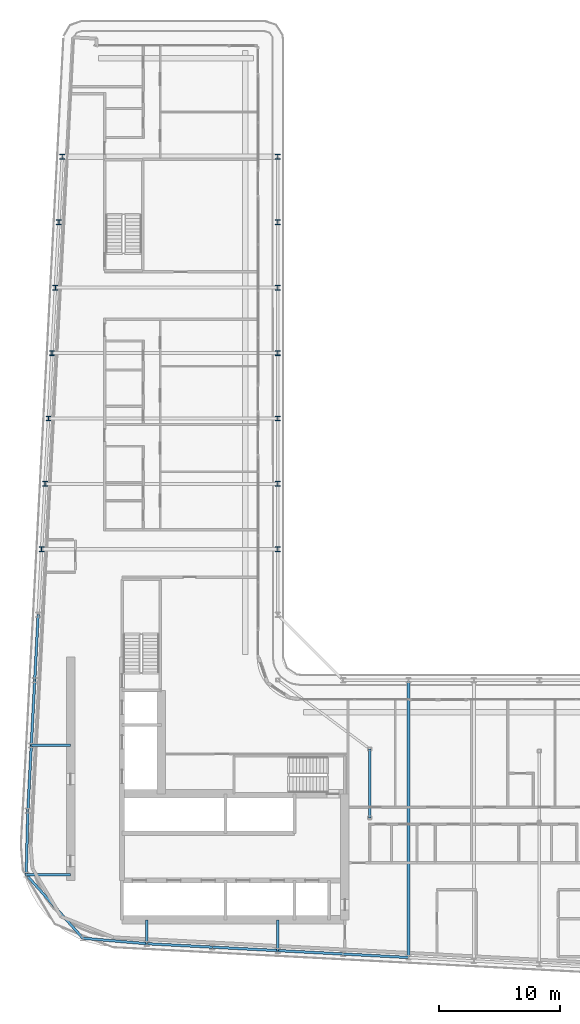
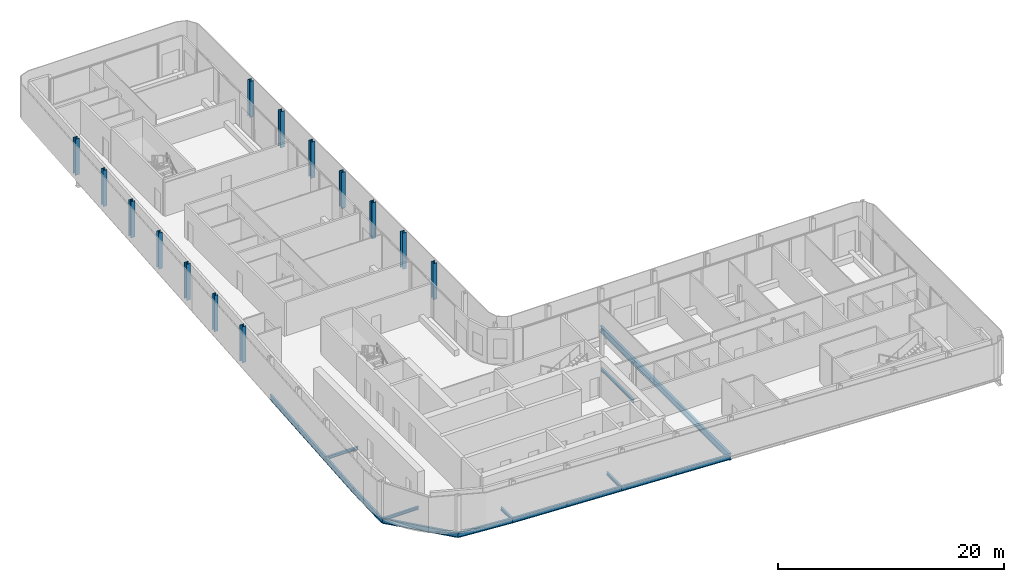
# One storey, part 3 of 22: 16 beams, 14 columns.
"""IFC4 building model written with IfcOpenShell, lengths in metres."""

import ifcopenshell
import ifcopenshell.guid

model = None  # the IFC model being written
_history = None  # IfcOwnerHistory: only IFC2X3 demands one
_inside = {}  # id of a spatial element -> (the spatial element, [elements in it])
_under = {}  # id of a project, library or spatial element -> (it, [spatial elements below it])
_declared = {}  # id of a project -> (the project, [libraries it declares])
_typed = {}  # id of a type object -> (the type object, [elements of that type])
_made_of = {}  # id of a material, layer set ... -> (it, [elements and type objects made of it])


def new_model(schema):
    """Start an empty IFC model of exactly this schema.

    Asked for "IFC4X3", IfcOpenShell would pick the latest addendum, in which some entities
    have other attributes; the version numbers below select the first issue.
    IFC2X3 requires an IfcOwnerHistory on every rooted entity: one is made here for all.
    """
    global model, _history
    if schema == "IFC4X3":
        model = ifcopenshell.file(schema_version=(4, 3, 0, 0))
    else:
        model = ifcopenshell.file(schema=schema)
    _inside.clear()
    _under.clear()
    _declared.clear()
    _typed.clear()
    _made_of.clear()
    _history = None
    if model.schema == "IFC2X3":
        org = make("IfcOrganization", Name="unknown")
        user = make(
            "IfcPersonAndOrganization",
            ThePerson=make("IfcPerson", FamilyName="unknown"),
            TheOrganization=org,
        )
        app = make(
            "IfcApplication",
            ApplicationDeveloper=org,
            Version="unknown",
            ApplicationFullName="unknown",
            ApplicationIdentifier="unknown",
        )
        _history = make(
            "IfcOwnerHistory",
            OwningUser=user,
            OwningApplication=app,
            ChangeAction="ADDED",
            CreationDate=0,
        )
    return model


def make(cls, **values):
    """One entity of the class cls with the attributes given. An attribute that is None is left unset."""
    return model.create_entity(
        cls, **{name: value for name, value in values.items() if value is not None}
    )


def rooted(cls, **values):
    """An entity with a GlobalId (a new one), such as an element, a storey or a relation."""
    return make(cls, GlobalId=ifcopenshell.guid.new(), OwnerHistory=_history, **values)


def si_unit(unit_type, name, prefix=None):
    """IfcSIUnit, for example si_unit("LENGTHUNIT", "METRE", prefix="MILLI")."""
    return make("IfcSIUnit", UnitType=unit_type, Prefix=prefix, Name=name)


def assignment(units):
    """IfcUnitAssignment: the units of a project."""
    return None if units is None else make("IfcUnitAssignment", Units=units)


def point(xyz):
    """IfcCartesianPoint."""
    return None if xyz is None else make("IfcCartesianPoint", Coordinates=xyz)


def direction(xyz):
    """IfcDirection."""
    return None if xyz is None else make("IfcDirection", DirectionRatios=xyz)


def frame(location, z_axis=None, x_axis=None):
    """IfcAxis2Placement3D, a coordinate frame: its origin and axes. An axis left out is left unset."""
    return make(
        "IfcAxis2Placement3D",
        Location=point(location),
        Axis=direction(z_axis),
        RefDirection=direction(x_axis),
    )


def frame_2d(location, x_axis=None):
    """IfcAxis2Placement2D, a coordinate frame in the plane: its origin and x axis."""
    return make(
        "IfcAxis2Placement2D", Location=point(location), RefDirection=direction(x_axis)
    )


def origin():
    """The frame at (0, 0, 0) with its axes left unset."""
    return frame((0.0, 0.0, 0.0))


def origin_2d():
    """The frame at (0, 0) in the plane with its x axis left unset."""
    return frame_2d((0.0, 0.0))


def place(relative_to, where):
    """IfcLocalPlacement: puts the frame where relative to a parent placement (None: the world)."""
    return make(
        "IfcLocalPlacement", PlacementRelTo=relative_to, RelativePlacement=where
    )


def context(
    kind, dimensions, precision=None, world=None, true_north=None, identifier=None
):
    """IfcGeometricRepresentationContext, for example the 3D "Model" context."""
    return make(
        "IfcGeometricRepresentationContext",
        ContextIdentifier=identifier,
        ContextType=kind,
        CoordinateSpaceDimension=dimensions,
        Precision=precision,
        WorldCoordinateSystem=world,
        TrueNorth=true_north,
    )


def subcontext(parent, identifier, kind, view, scale=None):
    """IfcGeometricRepresentationSubContext, for example "Body" below "Model"."""
    return make(
        "IfcGeometricRepresentationSubContext",
        ContextIdentifier=identifier,
        ContextType=kind,
        ParentContext=parent,
        TargetScale=scale,
        TargetView=view,
    )


def project(units=None, contexts=None):
    """IfcProject with its units and contexts."""
    return rooted(
        "IfcProject",
        Name="project",
        RepresentationContexts=contexts,
        UnitsInContext=assignment(units),
    )


def spatial(cls, under=None, at=None, **own):
    """A site, building, storey or space (cls), placed at a placement, below another one or the project."""
    s = rooted(cls, ObjectPlacement=at, **own)
    if under is not None:
        _under.setdefault(under.id(), (under, []))[1].append(s)
    return s


def profile(cls, at=None, kind="AREA", **sizes):
    """A parametric profile (cls). Its sizes go by their IFC names, for example OverallWidth=200.0."""
    return make(cls, ProfileType=kind, Position=at, **sizes)


def i_section(**sizes):
    """IfcIShapeProfileDef."""
    return profile("IfcIShapeProfileDef", **sizes)


def extrude(swept, where, along, depth):
    """IfcExtrudedAreaSolid: the profile swept, set in the frame where, extruded along a direction by depth."""
    return make(
        "IfcExtrudedAreaSolid",
        SweptArea=swept,
        Position=where,
        ExtrudedDirection=direction(along),
        Depth=depth,
    )


def shape(context_of_items, identifier, shape_type, items):
    """IfcShapeRepresentation: the items that make up one representation, for example the "Body"."""
    return make(
        "IfcShapeRepresentation",
        ContextOfItems=context_of_items,
        RepresentationIdentifier=identifier,
        RepresentationType=shape_type,
        Items=items,
    )


def material(Name=None, Category=None):
    """IfcMaterial."""
    return make("IfcMaterial", Name=Name, Category=Category)


def material_profile(
    of_material, cross_section, Name=None, Category=None, Priority=None
):
    """IfcMaterialProfile: a cross section and its material."""
    return make(
        "IfcMaterialProfile",
        Name=Name,
        Material=of_material,
        Profile=cross_section,
        Priority=Priority,
        Category=Category,
    )


def profile_set(profiles, Name=None, composite=None):
    """IfcMaterialProfileSet."""
    return make(
        "IfcMaterialProfileSet",
        Name=Name,
        MaterialProfiles=profiles,
        CompositeProfile=composite,
    )


def made_of(thing, what):
    """Note that an element or type object is made of a material, layer set ...; save() writes the relation."""
    if what is not None:
        _made_of.setdefault(what.id(), (what, []))[1].append(thing)
    return thing


def type_object(cls, material=None, **own):
    """A type object (cls), such as IfcWallType, which elements share."""
    return made_of(rooted(cls, **own), material)


def element(
    cls,
    number,
    at=None,
    inside=None,
    cuts=None,
    type_object=None,
    material=None,
    context=None,
    identifier="Body",
    shape_type=None,
    held_by="IfcProductDefinitionShape",
    body=None,
    shapes=None,
    **own,
):
    """One element of the class cls, such as IfcWall. Its Tag is "e" and its number.

    at: its placement. inside: the storey or other place that contains it. cuts: it is an
    opening in that element (IfcRelVoidsElement). A single representation is given by context,
    identifier, shape_type and body (its items); several are given by shapes. held_by: the class
    of the entity that holds the representations. save() writes the other relations.
    """
    e = rooted(cls, Tag="e%d" % number, ObjectPlacement=at, **own)
    if body is not None:
        shapes = [shape(context, identifier, shape_type, body)]
    if shapes is not None:
        e.Representation = make(held_by, Representations=shapes)
    if inside is not None:
        _inside.setdefault(inside.id(), (inside, []))[1].append(e)
    if cuts is not None:
        rooted(
            "IfcRelVoidsElement", RelatingBuildingElement=cuts, RelatedOpeningElement=e
        )
    if type_object is not None:
        _typed.setdefault(type_object.id(), (type_object, []))[1].append(e)
    return made_of(e, material)


def aggregate(whole, parts):
    """IfcRelAggregates: a whole, such as a stair, and the parts it consists of."""
    return rooted("IfcRelAggregates", RelatingObject=whole, RelatedObjects=parts)


def save(model, path):
    """Write the relations noted so far, then the file.

    IfcRelAggregates (storeys below a building ...), IfcRelContainedInSpatialStructure (elements
    in a storey), IfcRelDefinesByType, IfcRelAssociatesMaterial and IfcRelDeclares: one each for
    every whole, place, type object, material and project.
    """
    for whole, parts in _under.values():
        aggregate(whole, parts)
    for where, things in _inside.values():
        rooted(
            "IfcRelContainedInSpatialStructure",
            RelatedElements=things,
            RelatingStructure=where,
        )
    for kind, things in _typed.values():
        rooted("IfcRelDefinesByType", RelatedObjects=things, RelatingType=kind)
    for what, things in _made_of.values():
        rooted("IfcRelAssociatesMaterial", RelatedObjects=things, RelatingMaterial=what)
    for by, libraries in _declared.values():
        rooted("IfcRelDeclares", RelatingContext=by, RelatedDefinitions=libraries)
    model.write(path)


model = new_model("IFC4")

# Units and contexts
model_context = context("Model", 3, precision=1e-05, world=origin(), true_north=direction((0.0, 1.0)))
body_context = subcontext(model_context, "Body", "Model", "MODEL_VIEW")
ifc_project = project(units=[si_unit("LENGTHUNIT", "METRE"), si_unit("AREAUNIT", "SQUARE_METRE"), si_unit("VOLUMEUNIT", "CUBIC_METRE"), si_unit("PLANEANGLEUNIT", "RADIAN"), si_unit("MASSUNIT", "GRAM", prefix="KILO")], contexts=[model_context])

# Site, building, storey
site_placement = place(None, origin())
site = spatial("IfcSite", under=ifc_project, at=site_placement, CompositionType="ELEMENT")
building_placement = place(site_placement, origin())
building = spatial("IfcBuilding", under=site, at=building_placement, Name="Kheshtan School and Residences Tower", CompositionType="ELEMENT")
storey_placement = place(building_placement, frame((0.0, 0.0, 255.199951171875)))
storey = spatial("IfcBuildingStorey", under=building, at=storey_placement, Name="L60", CompositionType="ELEMENT", Elevation=255.199951171875)

# Columns
ifc_material = material(Name="Steel ASTM A992 Grade 50", Category="steel")
ifc_material_profile_1 = material_profile(ifc_material, i_section(OverallWidth=0.404052734375, OverallDepth=0.406982421875, WebThickness=0.027099609375, FlangeThickness=0.043701171875, FilletRadius=0.01220703125, at=origin_2d()), Name="W360x347")
ifc_profile_set_1 = profile_set([ifc_material_profile_1], Name="Steel ASTM A992 Grade 50")
column_type = type_object("IfcColumnType", Name="Column C4 W360x347 ASTM A992 Grade 50", PredefinedType="COLUMN", material=ifc_profile_set_1)
for number, where, z_axis, x_axis, name in (
    (1, (28.10595703125, 56.39990234375, 0.0), (0.0, 0.0, 1.0), (1.0, 0.0, 0.0), "Column C080"),
    (2, (47.60009765625, 56.39990234375, 0.0), (0.0, 0.0, 1.0), (1.0, 0.0, 0.0), "Column C081"),
    (3, (28.389892578125, 61.800048828125, 0.0), (0.0, 0.0, 1.0), (1.0, 0.0, 0.0), "Column C082"),
    (4, (47.60009765625, 61.800048828125, 0.0), (0.0, 0.0, 1.0), (1.0, 0.0, 0.0), "Column C083"),
    (5, (28.674072265625, 67.199951171875, 0.0), (0.0, 0.0, 1.0), (1.0, 0.0, 0.0), "Column C084"),
    (6, (47.60009765625, 67.199951171875, 0.0), (0.0, 0.0, 1.0), (1.0, 0.0, 0.0), "Column C085"),
    (7, (28.9580078125, 72.60009765625, 0.0), (0.0, 0.0, 1.0), (1.0, 0.0, 0.0), "Column C086"),
    (8, (47.60009765625, 72.60009765625, 0.0), (0.0, 0.0, 1.0), (1.0, 0.0, 0.0), "Column C087"),
    (9, (29.242919921875, 78.0, 0.0), (0.0, 0.0, 1.0), (1.0, 0.0, 0.0), "Column C088"),
    (10, (47.60009765625, 78.0, 0.0), (0.0, 0.0, 1.0), (1.0, 0.0, 0.0), "Column C089"),
    (11, (29.527099609375, 83.39990234375, 0.0), (0.0, 0.0, 1.0), (1.0, 0.0, 0.0), "Column C090"),
    (12, (47.60009765625, 83.39990234375, 0.0), (0.0, 0.0, 1.0), (1.0, 0.0, 0.0), "Column C091"),
    (13, (29.81103515625, 88.800048828125, 0.0), (0.0, 0.0, 1.0), (1.0, 0.0, 0.0), "Column C098"),
    (14, (47.60009765625, 88.800048828125, 0.0), (0.0, 0.0, 1.0), (1.0, 0.0, 0.0), "Column C099"),
):
    element("IfcColumn", number, at=place(storey_placement, frame(where, z_axis=z_axis, x_axis=x_axis)), inside=storey, type_object=column_type, Name=name, PredefinedType="COLUMN", context=body_context, shape_type="SweptSolid", body=[
        extrude(i_section(OverallWidth=0.404052734375, OverallDepth=0.406982421875, WebThickness=0.027099609375, FlangeThickness=0.043701171875, FilletRadius=0.01220703125, at=origin_2d()), origin(), (0.0, 0.0, 1.0), 3.900146484375),
    ])

# Beams
ifc_material_profile_2 = material_profile(ifc_material, i_section(OverallWidth=0.202880859375, OverallDepth=0.302978515625, WebThickness=0.007568359375, FlangeThickness=0.01318359375, FilletRadius=0.009033203125, at=origin_2d()), Name="W310x60")
ifc_profile_set_2 = profile_set([ifc_material_profile_2], Name="Steel ASTM A992 Grade 50")
beam_type_1 = type_object("IfcBeamType", Name="Beam FB1 W310x60 ASTM A992 Grade 50", PredefinedType="BEAM", material=ifc_profile_set_2)
beam_1_placement = place(storey_placement, frame((47.60009765625, 23.263916015625, -0.301513671875), z_axis=(0.0, 1.0, 0.0), x_axis=(-1.0, 0.0, 0.0)))
element("IfcBeam", 15, at=beam_1_placement, inside=storey, type_object=beam_type_1, Name="Floor beam C020", PredefinedType="BEAM", context=body_context, shape_type="SweptSolid", body=[
    extrude(i_section(OverallWidth=0.202880859375, OverallDepth=0.302978515625, WebThickness=0.007568359375, FlangeThickness=0.01318359375, FilletRadius=0.009033203125, at=origin_2d()), origin(), (0.0, 0.0, 1.0), 2.5361328125),
])
beam_2_placement = place(storey_placement, frame((36.800048828125, 23.83203125, -0.301513671875), z_axis=(0.0, 1.0, 0.0), x_axis=(-1.0, 0.0, 0.0)))
element("IfcBeam", 16, at=beam_2_placement, inside=storey, type_object=beam_type_1, Name="Floor beam C022", PredefinedType="BEAM", context=body_context, shape_type="SweptSolid", body=[
    extrude(i_section(OverallWidth=0.202880859375, OverallDepth=0.302978515625, WebThickness=0.007568359375, FlangeThickness=0.01318359375, FilletRadius=0.009033203125, at=origin_2d()), origin(), (0.0, 0.0, 1.0), 1.968017578125),
])
beam_3_placement = place(storey_placement, frame((26.830078125, 29.5380859375, -0.301513671875), z_axis=(1.0, 0.0, 0.0), x_axis=(0.0, 1.0, 0.0)))
element("IfcBeam", 17, at=beam_3_placement, inside=storey, type_object=beam_type_1, Name="Floor beam C043", PredefinedType="BEAM", context=body_context, shape_type="SweptSolid", body=[
    extrude(i_section(OverallWidth=0.202880859375, OverallDepth=0.302978515625, WebThickness=0.007568359375, FlangeThickness=0.01318359375, FilletRadius=0.009033203125, at=origin_2d()), origin(), (0.0, 0.0, 1.0), 3.669921875),
])
beam_4_placement = place(storey_placement, frame((27.2529296875, 40.199951171875, -0.301513671875), z_axis=(1.0, 0.0, 0.0), x_axis=(0.0, 1.0, 0.0)))
element("IfcBeam", 18, at=beam_4_placement, inside=storey, type_object=beam_type_1, Name="Floor beam C056", PredefinedType="BEAM", context=body_context, shape_type="SweptSolid", body=[
    extrude(i_section(OverallWidth=0.202880859375, OverallDepth=0.302978515625, WebThickness=0.007568359375, FlangeThickness=0.01318359375, FilletRadius=0.009033203125, at=origin_2d()), origin(), (0.0, 0.0, 1.0), 3.2470703125),
])
beam_5_placement = place(storey_placement, frame((55.199951171875, 34.23193359375, -0.301513671875), z_axis=(0.0, 1.0, 0.0), x_axis=(-1.0, 0.0, 0.0)))
element("IfcBeam", 19, at=beam_5_placement, inside=storey, type_object=beam_type_1, Name="Floor beam IC", PredefinedType="BEAM", context=body_context, shape_type="SweptSolid", body=[
    extrude(i_section(OverallWidth=0.202880859375, OverallDepth=0.302978515625, WebThickness=0.007568359375, FlangeThickness=0.01318359375, FilletRadius=0.009033203125, at=origin_2d()), origin(), (0.0, 0.0, 1.0), 5.68408203125),
])
ifc_material_profile_3 = material_profile(ifc_material, i_section(OverallWidth=0.2529296875, OverallDepth=0.677978515625, WebThickness=0.01171875, FlangeThickness=0.016357421875, FilletRadius=0.0146484375, at=origin_2d()), Name="W690x125")
ifc_profile_set_3 = profile_set([ifc_material_profile_3], Name="Steel ASTM A992 Grade 50")
beam_type_2 = type_object("IfcBeamType", Name="Beam FB6 W690x125 ASTM A992 Grade 50", PredefinedType="BEAM", material=ifc_profile_set_3)
beam_6_placement = place(storey_placement, frame((58.39990234375, 22.695068359375, -0.489013671875), z_axis=(0.0, 1.0, 0.0), x_axis=(-1.0, 0.0, 0.0)))
element("IfcBeam", 20, at=beam_6_placement, inside=storey, type_object=beam_type_2, Name="Floor beam C018", PredefinedType="BEAM", context=body_context, shape_type="SweptSolid", body=[
    extrude(i_section(OverallWidth=0.2529296875, OverallDepth=0.677978515625, WebThickness=0.01171875, FlangeThickness=0.016357421875, FilletRadius=0.0146484375, at=origin_2d()), origin(), (0.0, 0.0, 1.0), 22.905029296875),
])
ifc_material_profile_4 = material_profile(ifc_material, i_section(OverallWidth=0.208984375, OverallDepth=0.532958984375, WebThickness=0.01025390625, FlangeThickness=0.015625, FilletRadius=0.013916015625, at=origin_2d()), Name="W530x92")
ifc_profile_set_4 = profile_set([ifc_material_profile_4], Name="Steel ASTM A992 Grade 50")
beam_type_3 = type_object("IfcBeamType", Name="Beam SP3 W530x92 ASTM A992 Grade 50", PredefinedType="BEAM", material=ifc_profile_set_4)
for number, where, z_axis, x_axis, name in (
    (21, (58.39990234375, 22.695068359375, -0.41650390625), (-0.998610961136, 0.052689166816, 0.0), (-0.052689166816, -0.998610961136, 0.0), "Spandrel beam C018-C019"),
    (22, (53.0, 22.97998046875, -0.41650390625), (-0.998620447272, 0.05250906864, 0.0), (-0.05250906864, -0.998620447272, 0.0), "Spandrel beam C019-C020"),
):
    element("IfcBeam", number, at=place(storey_placement, frame(where, z_axis=z_axis, x_axis=x_axis)), inside=storey, type_object=beam_type_3, Name=name, PredefinedType="BEAM", context=body_context, shape_type="SweptSolid", body=[
        extrude(i_section(OverallWidth=0.208984375, OverallDepth=0.532958984375, WebThickness=0.01025390625, FlangeThickness=0.015625, FilletRadius=0.013916015625, at=origin_2d()), origin(), (0.0, 0.0, 1.0), 5.407470703125),
    ])
beam_7_placement = place(storey_placement, frame((47.60009765625, 23.263916015625, -0.41650390625), z_axis=(-0.998618203458, 0.052551724256, 0.0), x_axis=(-0.052551724256, -0.998618203458, 0.0)))
element("IfcBeam", 23, at=beam_7_placement, inside=storey, type_object=beam_type_3, Name="Spandrel beam C020-C021", PredefinedType="BEAM", context=body_context, shape_type="SweptSolid", body=[
    extrude(i_section(OverallWidth=0.208984375, OverallDepth=0.532958984375, WebThickness=0.01025390625, FlangeThickness=0.015625, FilletRadius=0.013916015625, at=origin_2d()), origin(), (0.0, 0.0, 1.0), 5.40771484375),
])
beam_8_placement = place(storey_placement, frame((42.199951171875, 23.548095703125, -0.41650390625), z_axis=(-0.998620447272, 0.05250906864, 0.0), x_axis=(-0.05250906864, -0.998620447272, 0.0)))
element("IfcBeam", 24, at=beam_8_placement, inside=storey, type_object=beam_type_3, Name="Spandrel beam C021-C022", PredefinedType="BEAM", context=body_context, shape_type="SweptSolid", body=[
    extrude(i_section(OverallWidth=0.208984375, OverallDepth=0.532958984375, WebThickness=0.01025390625, FlangeThickness=0.015625, FilletRadius=0.013916015625, at=origin_2d()), origin(), (0.0, 0.0, 1.0), 5.407470703125),
])
beam_9_placement = place(storey_placement, frame((36.800048828125, 23.83203125, -0.41650390625), z_axis=(-0.996386672761, 0.084932904956, 0.0), x_axis=(-0.084932904956, -0.996386672761, 0.0)))
element("IfcBeam", 25, at=beam_9_placement, inside=storey, type_object=beam_type_3, Name="Spandrel beam C022-C030", PredefinedType="BEAM", context=body_context, shape_type="SweptSolid", body=[
    extrude(i_section(OverallWidth=0.208984375, OverallDepth=0.532958984375, WebThickness=0.01025390625, FlangeThickness=0.015625, FilletRadius=0.013916015625, at=origin_2d()), origin(), (0.0, 0.0, 1.0), 5.309326171875),
])
beam_10_placement = place(storey_placement, frame((31.510009765625, 24.282958984375, -0.41650390625), z_axis=(-0.66505480847, 0.746794551219, 0.0), x_axis=(-0.746794551219, -0.66505480847, 0.0)))
element("IfcBeam", 26, at=beam_10_placement, inside=storey, type_object=beam_type_3, Name="Spandrel beam C030-C043", PredefinedType="BEAM", context=body_context, shape_type="SweptSolid", body=[
    extrude(i_section(OverallWidth=0.208984375, OverallDepth=0.532958984375, WebThickness=0.01025390625, FlangeThickness=0.015625, FilletRadius=0.013916015625, at=origin_2d()), origin(), (0.0, 0.0, 1.0), 7.036865234375),
])
beam_11_placement = place(storey_placement, frame((26.830078125, 29.5380859375, -0.41650390625), z_axis=(0.026390842013, 0.999651701073, 0.0), x_axis=(-0.999651701073, 0.026390842013, 0.0)))
element("IfcBeam", 27, at=beam_11_placement, inside=storey, type_object=beam_type_3, Name="Spandrel beam C043-C052", PredefinedType="BEAM", context=body_context, shape_type="SweptSolid", body=[
    extrude(i_section(OverallWidth=0.208984375, OverallDepth=0.532958984375, WebThickness=0.01025390625, FlangeThickness=0.015625, FilletRadius=0.013916015625, at=origin_2d()), origin(), (0.0, 0.0, 1.0), 5.263916015625),
])
beam_12_placement = place(storey_placement, frame((26.968994140625, 34.800048828125, -0.41650390625), z_axis=(0.05250906864, 0.998620447272, 0.0), x_axis=(-0.998620447272, 0.05250906864, 0.0)))
element("IfcBeam", 28, at=beam_12_placement, inside=storey, type_object=beam_type_3, Name="Spandrel beam C052-C056", PredefinedType="BEAM", context=body_context, shape_type="SweptSolid", body=[
    extrude(i_section(OverallWidth=0.208984375, OverallDepth=0.532958984375, WebThickness=0.01025390625, FlangeThickness=0.015625, FilletRadius=0.013916015625, at=origin_2d()), origin(), (0.0, 0.0, 1.0), 5.407470703125),
])
beam_13_placement = place(storey_placement, frame((27.2529296875, 40.199951171875, -0.41650390625), z_axis=(0.052551724256, 0.998618203458, 0.0), x_axis=(-0.998618203458, 0.052551724256, 0.0)))
element("IfcBeam", 29, at=beam_13_placement, inside=storey, type_object=beam_type_3, Name="Spandrel beam C056-C059", PredefinedType="BEAM", context=body_context, shape_type="SweptSolid", body=[
    extrude(i_section(OverallWidth=0.208984375, OverallDepth=0.532958984375, WebThickness=0.01025390625, FlangeThickness=0.015625, FilletRadius=0.013916015625, at=origin_2d()), origin(), (0.0, 0.0, 1.0), 5.40771484375),
])
beam_14_placement = place(storey_placement, frame((27.537109375, 45.60009765625, -0.41650390625), z_axis=(0.052689166816, 0.998610961136, 0.0), x_axis=(-0.998610961136, 0.052689166816, 0.0)))
element("IfcBeam", 30, at=beam_14_placement, inside=storey, type_object=beam_type_3, Name="Spandrel beam C059-C078", PredefinedType="BEAM", context=body_context, shape_type="SweptSolid", body=[
    extrude(i_section(OverallWidth=0.208984375, OverallDepth=0.532958984375, WebThickness=0.01025390625, FlangeThickness=0.015625, FilletRadius=0.013916015625, at=origin_2d()), origin(), (0.0, 0.0, 1.0), 5.407470703125),
])

save(model, "model.ifc")
